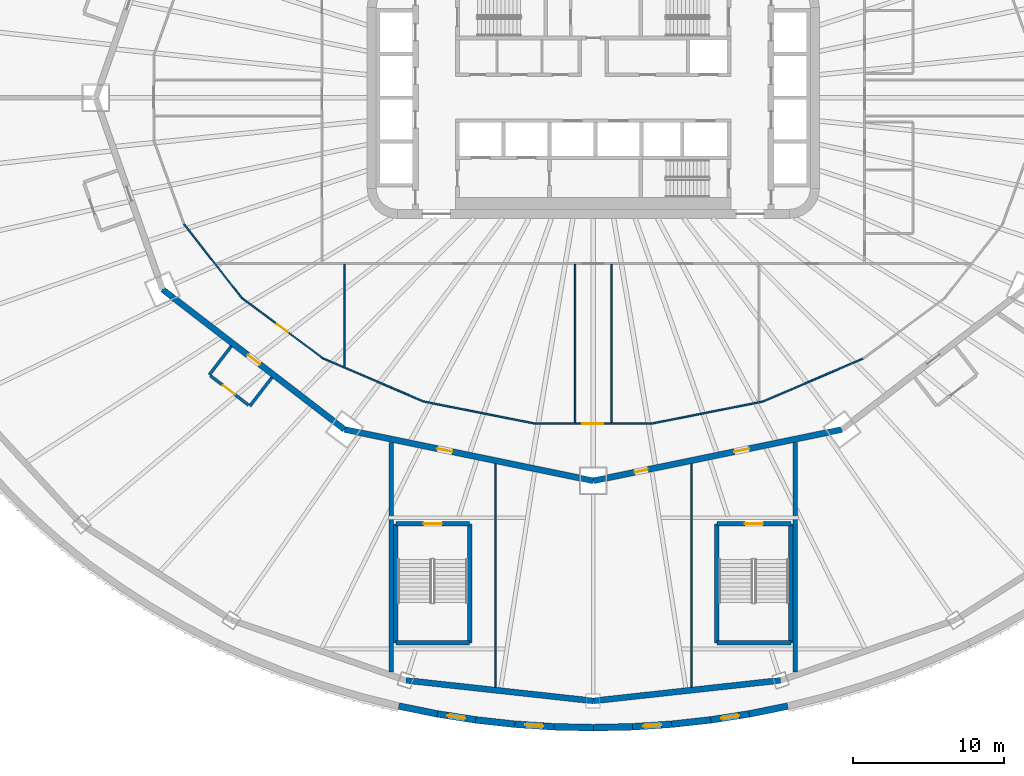
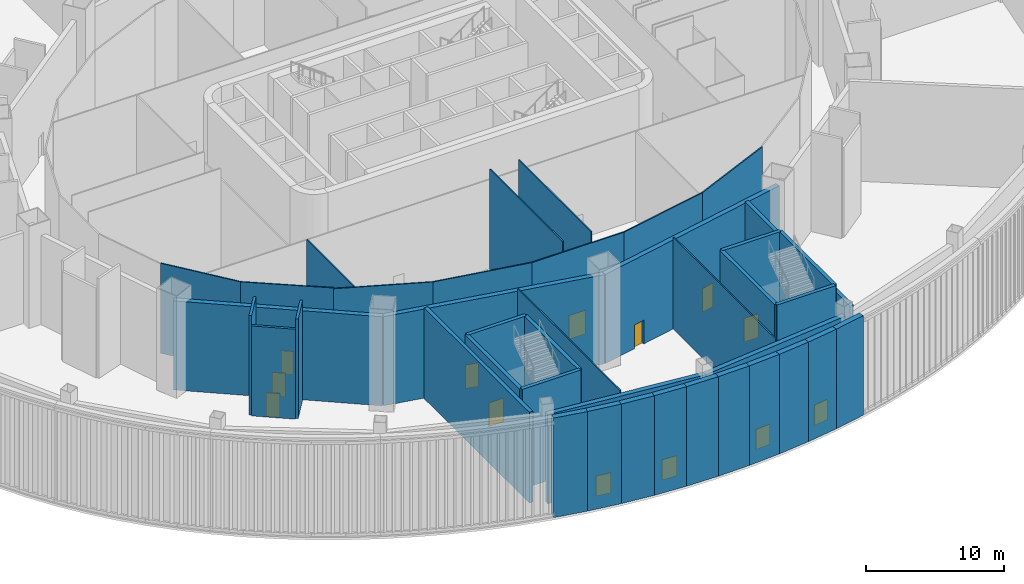
# One storey, part 6 of 35: 40 walls, 9 doors, 4 windows, 13 openings.
"""IFC4 building model written with IfcOpenShell, lengths in metres."""

from ifc_helpers import new_model, si_unit, direction, frame, frame_2d, origin, place, context, subcontext, project, spatial, rectangle, extrude, material, layer, layer_set, type_object, element, fill, save


model = new_model("IFC4")

# Units and contexts
model_context = context("Model", 3, precision=1e-05, world=origin(), true_north=direction((0.0, 1.0)))
body_context = subcontext(model_context, "Body", "Model", "MODEL_VIEW")
ifc_project = project(units=[si_unit("LENGTHUNIT", "METRE"), si_unit("AREAUNIT", "SQUARE_METRE"), si_unit("VOLUMEUNIT", "CUBIC_METRE"), si_unit("PLANEANGLEUNIT", "RADIAN"), si_unit("MASSUNIT", "GRAM", prefix="KILO")], contexts=[model_context])

# Site, building, storey
site_placement = place(None, origin())
site = spatial("IfcSite", under=ifc_project, at=site_placement, CompositionType="ELEMENT")
building_placement = place(site_placement, origin())
building = spatial("IfcBuilding", under=site, at=building_placement, Name="Sahrelin Media Tower", CompositionType="ELEMENT")
storey_placement = place(building_placement, frame((0.0, 0.0, 17.0)))
storey = spatial("IfcBuildingStorey", under=building, at=storey_placement, Name="L02", CompositionType="ELEMENT", Elevation=17.0)

# Walls
ifc_material_1 = material(Name="Fire-rated gypsum board partition")
ifc_layer_1 = layer(ifc_material_1, 0.199951171875)
ifc_layer_set_1 = layer_set([ifc_layer_1], Name="Fire-rated partition 200")
wall_type_1 = type_object("IfcWallType", Name="Fire-rated partition 200", PredefinedType="PARTITIONING", material=ifc_layer_set_1)
for number, where, z_axis, x_axis, name in (
    (1, (-24.008544921875, -16.47021484375, 0.0), (0.0, 0.0, 1.0), (-0.609946706972, -0.792442436177, 0.0), "Wall"),
    (2, (-21.314208984375, -18.5439453125, 0.0), (0.0, 0.0, 1.0), (-0.609946706972, -0.792442436177, 0.0), "Wall"),
):
    element("IfcWall", number, at=place(storey_placement, frame(where, z_axis=z_axis, x_axis=x_axis)), inside=storey, type_object=wall_type_1, Name=name, PredefinedType="PARTITIONING", context=body_context, shape_type="SweptSolid", body=[
        extrude(rectangle(XDim=2.39990234375, YDim=0.199951171875, at=frame_2d((1.199951171875, 0.0))), origin(), (0.0, 0.0, 1.0), 8.800048828125),
    ])

# Wall, opening, door
wall_1_placement = place(storey_placement, frame((-25.393310546875, -18.43310546875, 0.0), z_axis=(0.0, 0.0, 1.0), x_axis=(0.792476481098, -0.609902473274, 0.0)))
wall_1 = element("IfcWall", 3, at=wall_1_placement, inside=storey, type_object=wall_type_1, Name="Wall", PredefinedType="PARTITIONING", context=body_context, shape_type="SweptSolid", body=[
    extrude(rectangle(XDim=3.199951171875, YDim=0.199951171875, at=frame_2d((1.60009765625, 0.0))), origin(), (0.0, 0.0, 1.0), 7.9453125),
])
opening_1_placement = place(wall_1_placement, frame((1.050048828125, 0.0, 0.0)))
opening_1 = element("IfcOpeningElement", 4, at=opening_1_placement, cuts=wall_1, Name="Opening L02-D69", PredefinedType="OPENING", context=body_context, shape_type="SweptSolid", body=[
    extrude(rectangle(XDim=1.0, YDim=2.10009765625, at=frame_2d((0.5, 1.050048828125))), frame((0.0, 0.10009765625, 0.0), z_axis=(0.0, -1.0, 0.0), x_axis=(1.0, 0.0, 0.0)), (0.0, 0.0, 1.0), 0.199951171875),
])
ifc_material_2 = material(Name="Steel fire door leaf", Category="steel")
door_type_1 = type_object("IfcDoorType", Name="Fire door 1000 x 2100 EI 60", OperationType="NOTDEFINED", PredefinedType="DOOR", material=ifc_material_2)
door_1_placement = place(opening_1_placement, origin())
door_1 = element("IfcDoor", 5, at=door_1_placement, inside=storey, type_object=door_type_1, Name="Fire door", OperationType="SINGLE_SWING_LEFT", OverallHeight=2.10009765625, OverallWidth=1.0, PredefinedType="DOOR", context=body_context, shape_type="SweptSolid", body=[
    extrude(rectangle(XDim=1.0, YDim=2.10009765625, at=frame_2d((0.5, 1.050048828125))), frame((0.0, 0.02490234375, 0.0), z_axis=(0.0, -1.0, 0.0), x_axis=(1.0, 0.0, 0.0)), (0.0, 0.0, 1.0), 0.050048828125),
])
fill(opening_1, door_1)

# Walls
ifc_layer_2 = layer(ifc_material_1, 0.300048828125)
ifc_layer_set_2 = layer_set([ifc_layer_2], Name="Fire-rated partition 300")
wall_type_2 = type_object("IfcWallType", Name="Fire-rated partition 300", PredefinedType="PARTITIONING", material=ifc_layer_set_2)
for number, where, z_axis, x_axis, name in (
    (6, (13.39990234375, -22.87158203125, 0.0), (0.0, 0.0, 1.0), (0.0, -1.0, 0.0), "Wall"),
    (7, (-13.39990234375, -22.87158203125, 0.0), (0.0, 0.0, 1.0), (0.0, -1.0, 0.0), "Wall"),
):
    element("IfcWall", number, at=place(storey_placement, frame(where, z_axis=z_axis, x_axis=x_axis)), inside=storey, type_object=wall_type_2, Name=name, PredefinedType="PARTITIONING", context=body_context, shape_type="SweptSolid", body=[
        extrude(rectangle(XDim=15.216796875, YDim=0.300048828125, at=frame_2d((7.6083984375, 0.0))), origin(), (0.0, 0.0, 1.0), 8.02587890625),
    ])
ifc_layer_3 = layer(ifc_material_1, 0.39990234375)
ifc_layer_set_3 = layer_set([ifc_layer_3], Name="Fire-rated partition 400")
wall_type_3 = type_object("IfcWallType", Name="Fire-rated partition 400", PredefinedType="PARTITIONING", material=ifc_layer_set_3)
for number, where, z_axis, x_axis, name in (
    (8, (-12.42333984375, -38.636962890625, 0.0), (0.0, 0.0, 1.0), (0.994035016934, -0.109061382297, 0.0), "Wall"),
    (9, (0.0, -40.0, 0.0), (0.0, 0.0, 1.0), (0.994035016934, 0.109061382297, 0.0), "Wall"),
):
    element("IfcWall", number, at=place(storey_placement, frame(where, z_axis=z_axis, x_axis=x_axis)), inside=storey, type_object=wall_type_3, Name=name, PredefinedType="PARTITIONING", context=body_context, shape_type="SweptSolid", body=[
        extrude(rectangle(XDim=12.497802734375, YDim=0.39990234375, at=frame_2d((6.2490234375, 0.0))), origin(), (0.0, 0.0, 1.0), 7.876953125),
    ])

# Wall, opening, door
wall_2_placement = place(storey_placement, frame((-28.578857421875, -12.699951171875, 0.0), z_axis=(0.0, 0.0, 1.0), x_axis=(0.792443539308, -0.609945273782, 0.0)))
wall_2 = element("IfcWall", 10, at=wall_2_placement, inside=storey, type_object=wall_type_3, Name="Wall", PredefinedType="PARTITIONING", context=body_context, shape_type="SweptSolid", body=[
    extrude(rectangle(XDim=15.242431640625, YDim=0.39990234375, at=frame_2d((7.62109375, 0.0))), origin(), (0.0, 0.0, 1.0), 7.8681640625),
])
opening_2_placement = place(wall_2_placement, frame((7.14990234375, 0.0, 0.0)))
opening_2 = element("IfcOpeningElement", 11, at=opening_2_placement, cuts=wall_2, Name="Opening L02-D68", PredefinedType="OPENING", context=body_context, shape_type="SweptSolid", body=[
    extrude(rectangle(XDim=1.0, YDim=2.10009765625, at=frame_2d((0.5, 1.050048828125))), frame((0.0, 0.199951171875, 0.0), z_axis=(0.0, -1.0, 0.0), x_axis=(1.0, 0.0, 0.0)), (0.0, 0.0, 1.0), 0.39990234375),
])
door_2_placement = place(opening_2_placement, origin())
door_2 = element("IfcDoor", 12, at=door_2_placement, inside=storey, type_object=door_type_1, Name="Fire door", OperationType="SINGLE_SWING_RIGHT", OverallHeight=2.10009765625, OverallWidth=1.0, PredefinedType="DOOR", context=body_context, shape_type="SweptSolid", body=[
    extrude(rectangle(XDim=1.0, YDim=2.10009765625, at=frame_2d((0.5, 1.050048828125))), frame((0.0, 0.02490234375, 0.0), z_axis=(0.0, -1.0, 0.0), x_axis=(1.0, 0.0, 0.0)), (0.0, 0.0, 1.0), 0.050048828125),
])
fill(opening_2, door_2)

wall_3_placement = place(storey_placement, frame((-16.5, -21.9970703125, 0.0), z_axis=(0.0, 0.0, 1.0), x_axis=(0.979389305257, -0.201981654484, 0.0)))
wall_3 = element("IfcWall", 13, at=wall_3_placement, inside=storey, type_object=wall_type_3, Name="Wall", PredefinedType="PARTITIONING", context=body_context, shape_type="SweptSolid", body=[
    extrude(rectangle(XDim=16.84716796875, YDim=0.39990234375, at=frame_2d((8.423583984375, 0.0))), origin(), (0.0, 0.0, 1.0), 7.8681640625),
])
opening_3_placement = place(wall_3_placement, frame((6.300048828125, 0.0, 0.0)))
opening_3 = element("IfcOpeningElement", 14, at=opening_3_placement, cuts=wall_3, Name="Opening L02-D24", PredefinedType="OPENING", context=body_context, shape_type="SweptSolid", body=[
    extrude(rectangle(XDim=1.0, YDim=2.10009765625, at=frame_2d((0.5, 1.050048828125))), frame((0.0, 0.199951171875, 0.0), z_axis=(0.0, -1.0, 0.0), x_axis=(1.0, 0.0, 0.0)), (0.0, 0.0, 1.0), 0.39990234375),
])
door_type_2 = type_object("IfcDoorType", Name="Lobby door 1000 x 2100 EI 60", OperationType="NOTDEFINED", PredefinedType="DOOR", material=ifc_material_2)
door_3_placement = place(opening_3_placement, origin())
door_3 = element("IfcDoor", 15, at=door_3_placement, inside=storey, type_object=door_type_2, Name="Lobby door", OperationType="SINGLE_SWING_LEFT", OverallHeight=2.10009765625, OverallWidth=1.0, PredefinedType="DOOR", context=body_context, shape_type="SweptSolid", body=[
    extrude(rectangle(XDim=1.0, YDim=2.10009765625, at=frame_2d((0.5, 1.050048828125))), frame((0.0, 0.02490234375, 0.0), z_axis=(0.0, -1.0, 0.0), x_axis=(1.0, 0.0, 0.0)), (0.0, 0.0, 1.0), 0.050048828125),
])
fill(opening_3, door_3)

# Wall, openings, doors
wall_4_placement = place(storey_placement, frame((0.0, -25.39990234375, 0.0), z_axis=(0.0, 0.0, 1.0), x_axis=(0.979389305257, 0.201981654484, 0.0)))
wall_4 = element("IfcWall", 16, at=wall_4_placement, inside=storey, type_object=wall_type_3, Name="Wall", PredefinedType="PARTITIONING", context=body_context, shape_type="SweptSolid", body=[
    extrude(rectangle(XDim=16.84716796875, YDim=0.39990234375, at=frame_2d((8.423583984375, 0.0))), origin(), (0.0, 0.0, 1.0), 7.8681640625),
])
opening_4_placement = place(wall_4_placement, frame((9.550048828125, 0.0, 0.0)))
opening_4 = element("IfcOpeningElement", 17, at=opening_4_placement, cuts=wall_4, Name="Opening L02-D25", PredefinedType="OPENING", context=body_context, shape_type="SweptSolid", body=[
    extrude(rectangle(XDim=1.0, YDim=2.10009765625, at=frame_2d((0.5, 1.050048828125))), frame((0.0, 0.199951171875, 0.0), z_axis=(0.0, -1.0, 0.0), x_axis=(1.0, 0.0, 0.0)), (0.0, 0.0, 1.0), 0.39990234375),
])
opening_5_placement = place(wall_4_placement, frame((2.800048828125, 0.0, 0.0)))
opening_5 = element("IfcOpeningElement", 18, at=opening_5_placement, cuts=wall_4, Name="Opening L02-D32", PredefinedType="OPENING", context=body_context, shape_type="SweptSolid", body=[
    extrude(rectangle(XDim=0.89990234375, YDim=2.10009765625, at=frame_2d((0.449951171875, 1.050048828125))), frame((0.0, 0.199951171875, 0.0), z_axis=(0.0, -1.0, 0.0), x_axis=(1.0, 0.0, 0.0)), (0.0, 0.0, 1.0), 0.39990234375),
])
door_4_placement = place(opening_4_placement, origin())
door_4 = element("IfcDoor", 19, at=door_4_placement, inside=storey, type_object=door_type_2, Name="Lobby door", OperationType="SINGLE_SWING_RIGHT", OverallHeight=2.10009765625, OverallWidth=1.0, PredefinedType="DOOR", context=body_context, shape_type="SweptSolid", body=[
    extrude(rectangle(XDim=1.0, YDim=2.10009765625, at=frame_2d((0.5, 1.050048828125))), frame((0.0, 0.02490234375, 0.0), z_axis=(0.0, -1.0, 0.0), x_axis=(1.0, 0.0, 0.0)), (0.0, 0.0, 1.0), 0.050048828125),
])
fill(opening_4, door_4)
ifc_material_3 = material(Name="Timber door leaf", Category="wood")
door_type_3 = type_object("IfcDoorType", Name="Single door 900 x 2100", OperationType="NOTDEFINED", PredefinedType="DOOR", material=ifc_material_3)
door_5_placement = place(opening_5_placement, origin())
door_5 = element("IfcDoor", 20, at=door_5_placement, inside=storey, type_object=door_type_3, Name="Single door", OperationType="SINGLE_SWING_LEFT", OverallHeight=2.10009765625, OverallWidth=0.89990234375, PredefinedType="DOOR", context=body_context, shape_type="SweptSolid", body=[
    extrude(rectangle(XDim=0.89990234375, YDim=2.10009765625, at=frame_2d((0.449951171875, 1.050048828125))), frame((0.0, 0.02490234375, 0.0), z_axis=(0.0, -1.0, 0.0), x_axis=(1.0, 0.0, 0.0)), (0.0, 0.0, 1.0), 0.050048828125),
])
fill(opening_5, door_5)

# Wall
ifc_material_4 = material(Name="Gypsum board partition")
ifc_layer_4 = layer(ifc_material_4, 0.10009765625)
ifc_layer_set_4 = layer_set([ifc_layer_4], Name="Partition 100")
wall_type_4 = type_object("IfcWallType", Name="Partition 100", PredefinedType="PARTITIONING", material=ifc_layer_set_4)
wall_5_placement = place(storey_placement, frame((-27.162109375, -8.342529296875, 0.0), z_axis=(0.0, 0.0, 1.0), x_axis=(0.614354540541, -0.78903009988, 0.0)))
element("IfcWall", 21, at=wall_5_placement, inside=storey, type_object=wall_type_4, Name="Wall", PredefinedType="PARTITIONING", context=body_context, shape_type="SweptSolid", body=[
    extrude(rectangle(XDim=6.246337890625, YDim=0.10009765625, at=frame_2d((3.123046875, 0.0))), origin(), (0.0, 0.0, 1.0), 7.9453125),
])

# Wall, opening, door
wall_6_placement = place(storey_placement, frame((-23.32470703125, -13.27099609375, 0.0), z_axis=(0.0, 0.0, 1.0), x_axis=(0.803261991148, -0.595625867115, 0.0)))
wall_6 = element("IfcWall", 22, at=wall_6_placement, inside=storey, type_object=wall_type_4, Name="Wall", PredefinedType="PARTITIONING", context=body_context, shape_type="SweptSolid", body=[
    extrude(rectangle(XDim=6.756103515625, YDim=0.10009765625, at=frame_2d((3.3779296875, 0.0))), origin(), (0.0, 0.0, 1.0), 7.9453125),
])
opening_6_placement = place(wall_6_placement, frame((2.927978515625, 0.0, 0.0)))
opening_6 = element("IfcOpeningElement", 23, at=opening_6_placement, cuts=wall_6, Name="Opening L02-D40", PredefinedType="OPENING", context=body_context, shape_type="SweptSolid", body=[
    extrude(rectangle(XDim=0.89990234375, YDim=2.10009765625, at=frame_2d((0.449951171875, 1.050048828125))), frame((0.0, 0.050048828125, 0.0), z_axis=(0.0, -1.0, 0.0), x_axis=(1.0, 0.0, 0.0)), (0.0, 0.0, 1.0), 0.10009765625),
])
door_6_placement = place(opening_6_placement, origin())
door_6 = element("IfcDoor", 24, at=door_6_placement, inside=storey, type_object=door_type_3, Name="Single door", OperationType="SINGLE_SWING_LEFT", OverallHeight=2.10009765625, OverallWidth=0.89990234375, PredefinedType="DOOR", context=body_context, shape_type="SweptSolid", body=[
    extrude(rectangle(XDim=0.89990234375, YDim=2.10009765625, at=frame_2d((0.449951171875, 1.050048828125))), frame((0.0, 0.02490234375, 0.0), z_axis=(0.0, -1.0, 0.0), x_axis=(1.0, 0.0, 0.0)), (0.0, 0.0, 1.0), 0.050048828125),
])
fill(opening_6, door_6)

# Walls
wall_7_placement = place(storey_placement, frame((-17.897705078125, -17.295166015625, 0.0), z_axis=(0.0, 0.0, 1.0), x_axis=(0.919302147288, -0.3935524895, 0.0)))
element("IfcWall", 25, at=wall_7_placement, inside=storey, type_object=wall_type_4, Name="Wall", PredefinedType="PARTITIONING", context=body_context, shape_type="SweptSolid", body=[
    extrude(rectangle(XDim=7.230224609375, YDim=0.10009765625, at=frame_2d((3.615234375, 0.0))), origin(), (0.0, 0.0, 1.0), 7.876953125),
])
wall_8_placement = place(storey_placement, frame((-11.2509765625, -20.140625, 0.0), z_axis=(0.0, 0.0, 1.0), x_axis=(0.980829586671, -0.194867447026, 0.0)))
element("IfcWall", 26, at=wall_8_placement, inside=storey, type_object=wall_type_4, Name="Wall", PredefinedType="PARTITIONING", context=body_context, shape_type="SweptSolid", body=[
    extrude(rectangle(XDim=7.55859375, YDim=0.10009765625, at=frame_2d((3.779296875, 0.0))), origin(), (0.0, 0.0, 1.0), 7.876953125),
])

# Wall, opening, door
wall_9_placement = place(storey_placement, frame((-3.83740234375, -21.613525390625, 0.0), z_axis=(0.0, 0.0, 1.0), x_axis=(1.0, 0.0, 0.0)))
wall_9 = element("IfcWall", 27, at=wall_9_placement, inside=storey, type_object=wall_type_4, Name="Wall", PredefinedType="PARTITIONING", context=body_context, shape_type="SweptSolid", body=[
    extrude(rectangle(XDim=7.6748046875, YDim=0.10009765625, at=frame_2d((3.83740234375, 0.0))), origin(), (0.0, 0.0, 1.0), 7.876953125),
])
opening_7_placement = place(wall_9_placement, frame((3.10009765625, 0.0, 0.0)))
opening_7 = element("IfcOpeningElement", 28, at=opening_7_placement, cuts=wall_9, Name="Opening L02-D43", PredefinedType="OPENING", context=body_context, shape_type="SweptSolid", body=[
    extrude(rectangle(XDim=1.39990234375, YDim=2.10009765625, at=frame_2d((0.699951171875, 1.050048828125))), frame((0.0, 0.050048828125, 0.0), z_axis=(0.0, -1.0, 0.0), x_axis=(1.0, 0.0, 0.0)), (0.0, 0.0, 1.0), 0.10009765625),
])
door_type_4 = type_object("IfcDoorType", Name="Single door 1400 x 2100", OperationType="NOTDEFINED", PredefinedType="DOOR", material=ifc_material_3)
door_7_placement = place(opening_7_placement, origin())
door_7 = element("IfcDoor", 29, at=door_7_placement, inside=storey, type_object=door_type_4, Name="Single door", OperationType="SINGLE_SWING_LEFT", OverallHeight=2.10009765625, OverallWidth=1.39990234375, PredefinedType="DOOR", context=body_context, shape_type="SweptSolid", body=[
    extrude(rectangle(XDim=1.39990234375, YDim=2.10009765625, at=frame_2d((0.699951171875, 1.050048828125))), frame((0.0, 0.02490234375, 0.0), z_axis=(0.0, -1.0, 0.0), x_axis=(1.0, 0.0, 0.0)), (0.0, 0.0, 1.0), 0.050048828125),
])
fill(opening_7, door_7)

# Walls
wall_10_placement = place(storey_placement, frame((3.83740234375, -21.613525390625, 0.0), z_axis=(0.0, 0.0, 1.0), x_axis=(0.980829586671, 0.194867447026, 0.0)))
element("IfcWall", 30, at=wall_10_placement, inside=storey, type_object=wall_type_4, Name="Wall", PredefinedType="PARTITIONING", context=body_context, shape_type="SweptSolid", body=[
    extrude(rectangle(XDim=7.55859375, YDim=0.10009765625, at=frame_2d((3.779296875, 0.0))), origin(), (0.0, 0.0, 1.0), 7.876953125),
])
wall_11_placement = place(storey_placement, frame((11.2509765625, -20.140625, 0.0), z_axis=(0.0, 0.0, 1.0), x_axis=(0.919302147288, 0.3935524895, 0.0)))
element("IfcWall", 31, at=wall_11_placement, inside=storey, type_object=wall_type_4, Name="Wall", PredefinedType="PARTITIONING", context=body_context, shape_type="SweptSolid", body=[
    extrude(rectangle(XDim=7.230224609375, YDim=0.10009765625, at=frame_2d((3.615234375, 0.0))), origin(), (0.0, 0.0, 1.0), 7.876953125),
])
wall_12_placement = place(storey_placement, frame((-16.5, -11.050048828125, 0.0), z_axis=(0.0, 0.0, 1.0), x_axis=(0.0, -1.0, 0.0)))
element("IfcWall", 32, at=wall_12_placement, inside=storey, type_object=wall_type_4, Name="Wall", PredefinedType="PARTITIONING", context=body_context, shape_type="SweptSolid", body=[
    extrude(rectangle(XDim=6.767578125, YDim=0.10009765625, at=frame_2d((3.3837890625, 0.0))), origin(), (0.0, 0.0, 1.0), 7.9453125),
])
for number, where, z_axis, x_axis, name in (
    (33, (-1.199951171875, -11.050048828125, 0.0), (0.0, 0.0, 1.0), (0.0, -1.0, 0.0), "Wall"),
    (34, (1.199951171875, -11.050048828125, 0.0), (0.0, 0.0, 1.0), (0.0, -1.0, 0.0), "Wall"),
):
    element("IfcWall", number, at=place(storey_placement, frame(where, z_axis=z_axis, x_axis=x_axis)), inside=storey, type_object=wall_type_4, Name=name, PredefinedType="PARTITIONING", context=body_context, shape_type="SweptSolid", body=[
        extrude(rectangle(XDim=10.513427734375, YDim=0.10009765625, at=frame_2d((5.2568359375, 0.0))), origin(), (0.0, 0.0, 1.0), 8.800048828125),
    ])
for number, where, z_axis, x_axis, name in (
    (35, (6.5, -24.27392578125, 0.0), (0.0, 0.0, 1.0), (0.0, -1.0, 0.0), "Wall"),
    (36, (-6.5, -24.27392578125, 0.0), (0.0, 0.0, 1.0), (0.0, -1.0, 0.0), "Wall"),
):
    element("IfcWall", number, at=place(storey_placement, frame(where, z_axis=z_axis, x_axis=x_axis)), inside=storey, type_object=wall_type_4, Name=name, PredefinedType="PARTITIONING", context=body_context, shape_type="SweptSolid", body=[
        extrude(rectangle(XDim=14.811767578125, YDim=0.10009765625, at=frame_2d((7.40576171875, 0.0))), origin(), (0.0, 0.0, 1.0), 8.10205078125),
    ])
ifc_material_5 = material(Name="Concrete C60/75", Category="concrete")
ifc_layer_5 = layer(ifc_material_5, 0.300048828125)
ifc_layer_set_5 = layer_set([ifc_layer_5], Name="Stair enclosure wall 300")
wall_type_5 = type_object("IfcWallType", Name="Stair enclosure wall 300", PredefinedType="SOLIDWALL", material=ifc_layer_set_5)
wall_13_placement = place(storey_placement, frame((-8.199951171875, -36.14990234375, 0.0), z_axis=(0.0, 0.0, 1.0), x_axis=(-1.0, 0.0, 0.0)))
element("IfcWall", 37, at=wall_13_placement, inside=storey, type_object=wall_type_5, Name="Stair PS3", PredefinedType="SOLIDWALL", context=body_context, shape_type="SweptSolid", body=[
    extrude(rectangle(XDim=4.900146484375, YDim=0.300048828125, at=frame_2d((2.4501953125, 0.0))), origin(), (0.0, 0.0, 1.0), 8.800048828125),
])
wall_14_placement = place(storey_placement, frame((-13.10009765625, -36.14990234375, 0.0), z_axis=(0.0, 0.0, 1.0), x_axis=(0.0, 1.0, 0.0)))
element("IfcWall", 38, at=wall_14_placement, inside=storey, type_object=wall_type_5, Name="Stair PS3", PredefinedType="SOLIDWALL", context=body_context, shape_type="SweptSolid", body=[
    extrude(rectangle(XDim=7.89990234375, YDim=0.300048828125, at=frame_2d((3.949951171875, 0.0))), origin(), (0.0, 0.0, 1.0), 8.800048828125),
])

# Wall, opening, door
wall_15_placement = place(storey_placement, frame((-13.10009765625, -28.25, 0.0), z_axis=(0.0, 0.0, 1.0), x_axis=(1.0, 0.0, 0.0)))
wall_15 = element("IfcWall", 39, at=wall_15_placement, inside=storey, type_object=wall_type_5, Name="Stair PS3", PredefinedType="SOLIDWALL", context=body_context, shape_type="SweptSolid", body=[
    extrude(rectangle(XDim=4.900146484375, YDim=0.300048828125, at=frame_2d((2.4501953125, 0.0))), origin(), (0.0, 0.0, 1.0), 8.800048828125),
])
opening_8_placement = place(wall_15_placement, frame((1.85009765625, 0.0, 0.0)))
opening_8 = element("IfcOpeningElement", 40, at=opening_8_placement, cuts=wall_15, Name="Opening L02-D30", PredefinedType="OPENING", context=body_context, shape_type="SweptSolid", body=[
    extrude(rectangle(XDim=1.199951171875, YDim=2.10009765625, at=frame_2d((0.60009765625, 1.050048828125))), frame((0.0, 0.14990234375, 0.0), z_axis=(0.0, -1.0, 0.0), x_axis=(1.0, 0.0, 0.0)), (0.0, 0.0, 1.0), 0.300048828125),
])
door_type_5 = type_object("IfcDoorType", Name="Stair door 1200 x 2100 EI 120", OperationType="NOTDEFINED", PredefinedType="DOOR", material=ifc_material_2)
door_8_placement = place(opening_8_placement, origin())
door_8 = element("IfcDoor", 41, at=door_8_placement, inside=storey, type_object=door_type_5, Name="Stair door", OperationType="SINGLE_SWING_RIGHT", OverallHeight=2.10009765625, OverallWidth=1.199951171875, PredefinedType="DOOR", context=body_context, shape_type="SweptSolid", body=[
    extrude(rectangle(XDim=1.199951171875, YDim=2.10009765625, at=frame_2d((0.60009765625, 1.050048828125))), frame((0.0, 0.02490234375, 0.0), z_axis=(0.0, -1.0, 0.0), x_axis=(1.0, 0.0, 0.0)), (0.0, 0.0, 1.0), 0.050048828125),
])
fill(opening_8, door_8)

# Walls
wall_16_placement = place(storey_placement, frame((-8.199951171875, -28.25, 0.0), z_axis=(0.0, 0.0, 1.0), x_axis=(0.0, -1.0, 0.0)))
element("IfcWall", 42, at=wall_16_placement, inside=storey, type_object=wall_type_5, Name="Stair PS3", PredefinedType="SOLIDWALL", context=body_context, shape_type="SweptSolid", body=[
    extrude(rectangle(XDim=7.89990234375, YDim=0.300048828125, at=frame_2d((3.949951171875, 0.0))), origin(), (0.0, 0.0, 1.0), 8.800048828125),
])
wall_17_placement = place(storey_placement, frame((13.10009765625, -36.14990234375, 0.0), z_axis=(0.0, 0.0, 1.0), x_axis=(-1.0, 0.0, 0.0)))
element("IfcWall", 43, at=wall_17_placement, inside=storey, type_object=wall_type_5, Name="Stair PS4", PredefinedType="SOLIDWALL", context=body_context, shape_type="SweptSolid", body=[
    extrude(rectangle(XDim=4.900146484375, YDim=0.300048828125, at=frame_2d((2.4501953125, 0.0))), origin(), (0.0, 0.0, 1.0), 8.800048828125),
])
wall_18_placement = place(storey_placement, frame((8.199951171875, -36.14990234375, 0.0), z_axis=(0.0, 0.0, 1.0), x_axis=(0.0, 1.0, 0.0)))
element("IfcWall", 44, at=wall_18_placement, inside=storey, type_object=wall_type_5, Name="Stair PS4", PredefinedType="SOLIDWALL", context=body_context, shape_type="SweptSolid", body=[
    extrude(rectangle(XDim=7.89990234375, YDim=0.300048828125, at=frame_2d((3.949951171875, 0.0))), origin(), (0.0, 0.0, 1.0), 8.800048828125),
])

# Wall, opening, door
wall_19_placement = place(storey_placement, frame((8.199951171875, -28.25, 0.0), z_axis=(0.0, 0.0, 1.0), x_axis=(1.0, 0.0, 0.0)))
wall_19 = element("IfcWall", 45, at=wall_19_placement, inside=storey, type_object=wall_type_5, Name="Stair PS4", PredefinedType="SOLIDWALL", context=body_context, shape_type="SweptSolid", body=[
    extrude(rectangle(XDim=4.900146484375, YDim=0.300048828125, at=frame_2d((2.4501953125, 0.0))), origin(), (0.0, 0.0, 1.0), 8.800048828125),
])
opening_9_placement = place(wall_19_placement, frame((1.85009765625, 0.0, 0.0)))
opening_9 = element("IfcOpeningElement", 46, at=opening_9_placement, cuts=wall_19, Name="Opening L02-D31", PredefinedType="OPENING", context=body_context, shape_type="SweptSolid", body=[
    extrude(rectangle(XDim=1.199951171875, YDim=2.10009765625, at=frame_2d((0.60009765625, 1.050048828125))), frame((0.0, 0.14990234375, 0.0), z_axis=(0.0, -1.0, 0.0), x_axis=(1.0, 0.0, 0.0)), (0.0, 0.0, 1.0), 0.300048828125),
])
door_9_placement = place(opening_9_placement, origin())
door_9 = element("IfcDoor", 47, at=door_9_placement, inside=storey, type_object=door_type_5, Name="Stair door", OperationType="SINGLE_SWING_RIGHT", OverallHeight=2.10009765625, OverallWidth=1.199951171875, PredefinedType="DOOR", context=body_context, shape_type="SweptSolid", body=[
    extrude(rectangle(XDim=1.199951171875, YDim=2.10009765625, at=frame_2d((0.60009765625, 1.050048828125))), frame((0.0, 0.02490234375, 0.0), z_axis=(0.0, -1.0, 0.0), x_axis=(1.0, 0.0, 0.0)), (0.0, 0.0, 1.0), 0.050048828125),
])
fill(opening_9, door_9)

# Walls
wall_20_placement = place(storey_placement, frame((13.10009765625, -28.25, 0.0), z_axis=(0.0, 0.0, 1.0), x_axis=(0.0, -1.0, 0.0)))
element("IfcWall", 48, at=wall_20_placement, inside=storey, type_object=wall_type_5, Name="Stair PS4", PredefinedType="SOLIDWALL", context=body_context, shape_type="SweptSolid", body=[
    extrude(rectangle(XDim=7.89990234375, YDim=0.300048828125, at=frame_2d((3.949951171875, 0.0))), origin(), (0.0, 0.0, 1.0), 8.800048828125),
])
ifc_material_6 = material(Name="Concrete C40/50", Category="concrete")
ifc_layer_6 = layer(ifc_material_6, 0.449951171875)
ifc_layer_set_6 = layer_set([ifc_layer_6], Name="Studio facade wall")
wall_type_6 = type_object("IfcWallType", Name="Studio facade wall", PredefinedType="SOLIDWALL", material=ifc_layer_set_6)
wall_21_placement = place(storey_placement, frame((-12.896484375, -40.348388671875, 0.0), z_axis=(0.0, 0.0, 1.0), x_axis=(0.980275735323, -0.197634720473, 0.0)))
element("IfcWall", 49, at=wall_21_placement, inside=storey, type_object=wall_type_6, Name="Production office facade wall L02-P17-1", PredefinedType="SOLIDWALL", context=body_context, shape_type="SweptSolid", body=[
    extrude(rectangle(XDim=2.5966796875, YDim=0.449951171875, at=frame_2d((1.29833984375, 0.0))), origin(), (0.0, 0.0, 1.0), 8.800048828125),
])

# Wall, opening, window
wall_22_placement = place(storey_placement, frame((-10.361083984375, -40.85986328125, 0.0), z_axis=(0.0, 0.0, 1.0), x_axis=(0.98810254681, -0.153796479115, 0.0)))
wall_22 = element("IfcWall", 50, at=wall_22_placement, inside=storey, type_object=wall_type_6, Name="Production office facade wall L02-P17-2", PredefinedType="SOLIDWALL", context=body_context, shape_type="SweptSolid", body=[
    extrude(rectangle(XDim=2.60498046875, YDim=0.449951171875, at=frame_2d((1.302490234375, 0.0))), origin(), (0.0, 0.0, 1.0), 8.800048828125),
])
opening_10_placement = place(wall_22_placement, frame((0.702392578125, 0.0, 1.0)))
opening_10 = element("IfcOpeningElement", 51, at=opening_10_placement, cuts=wall_22, Name="Opening WS1", PredefinedType="OPENING", context=body_context, shape_type="SweptSolid", body=[
    extrude(rectangle(XDim=1.199951171875, YDim=1.800048828125, at=frame_2d((0.60009765625, 0.89990234375))), frame((0.0, 0.22509765625, 0.0), z_axis=(0.0, -1.0, 0.0), x_axis=(1.0, 0.0, 0.0)), (0.0, 0.0, 1.0), 0.449951171875),
])
ifc_material_7 = material(Name="Clear low-iron glazing", Category="glass")
window_type = type_object("IfcWindowType", Name="Production office window 1200x1800", PartitioningType="SINGLE_PANEL", PredefinedType="WINDOW", material=ifc_material_7)
window_1_placement = place(opening_10_placement, origin())
window_1 = element("IfcWindow", 52, at=window_1_placement, inside=storey, type_object=window_type, Name="L02:WIN2:L02-P17", OverallHeight=1.800048828125, OverallWidth=1.199951171875, PartitioningType="SINGLE_PANEL", PredefinedType="WINDOW", context=body_context, shape_type="SweptSolid", body=[
    extrude(rectangle(XDim=1.199951171875, YDim=1.800048828125, at=frame_2d((0.60009765625, 0.89990234375))), frame((0.0, 0.030029296875, 0.0), z_axis=(0.0, -1.0, 0.0), x_axis=(1.0, 0.0, 0.0)), (0.0, 0.0, 1.0), 0.06005859375),
])
fill(opening_10, window_1)

# Wall
wall_23_placement = place(storey_placement, frame((-7.797119140625, -41.25927734375, 0.0), z_axis=(0.0, 0.0, 1.0), x_axis=(0.993937205813, -0.109949219644, 0.0)))
element("IfcWall", 53, at=wall_23_placement, inside=storey, type_object=wall_type_6, Name="Production office facade wall L02-P17-3", PredefinedType="SOLIDWALL", context=body_context, shape_type="SweptSolid", body=[
    extrude(rectangle(XDim=2.611328125, YDim=0.449951171875, at=frame_2d((1.3056640625, 0.0))), origin(), (0.0, 0.0, 1.0), 8.800048828125),
])

# Wall, opening, window
wall_24_placement = place(storey_placement, frame((-5.211669921875, -41.54541015625, 0.0), z_axis=(0.0, 0.0, 1.0), x_axis=(0.997819718638, -0.065998553754, 0.0)))
wall_24 = element("IfcWall", 54, at=wall_24_placement, inside=storey, type_object=wall_type_6, Name="Production office facade wall L02-P17-4", PredefinedType="SOLIDWALL", context=body_context, shape_type="SweptSolid", body=[
    extrude(rectangle(XDim=2.615234375, YDim=0.449951171875, at=frame_2d((1.3076171875, 0.0))), origin(), (0.0, 0.0, 1.0), 8.800048828125),
])
opening_11_placement = place(wall_24_placement, frame((0.70751953125, 0.0, 1.0)))
opening_11 = element("IfcOpeningElement", 55, at=opening_11_placement, cuts=wall_24, Name="Opening WS1", PredefinedType="OPENING", context=body_context, shape_type="SweptSolid", body=[
    extrude(rectangle(XDim=1.199951171875, YDim=1.800048828125, at=frame_2d((0.60009765625, 0.89990234375))), frame((0.0, 0.22509765625, 0.0), z_axis=(0.0, -1.0, 0.0), x_axis=(1.0, 0.0, 0.0)), (0.0, 0.0, 1.0), 0.449951171875),
])
window_2_placement = place(opening_11_placement, origin())
window_2 = element("IfcWindow", 56, at=window_2_placement, inside=storey, type_object=window_type, Name="L02:WIN4:L02-P17", OverallHeight=1.800048828125, OverallWidth=1.199951171875, PartitioningType="SINGLE_PANEL", PredefinedType="WINDOW", context=body_context, shape_type="SweptSolid", body=[
    extrude(rectangle(XDim=1.199951171875, YDim=1.800048828125, at=frame_2d((0.60009765625, 0.89990234375))), frame((0.0, 0.030029296875, 0.0), z_axis=(0.0, -1.0, 0.0), x_axis=(1.0, 0.0, 0.0)), (0.0, 0.0, 1.0), 0.06005859375),
])
fill(opening_11, window_2)

# Walls
for number, where, z_axis, x_axis, name in (
    (57, (-2.61181640625, -41.717529296875, 0.0), (0.0, 0.0, 1.0), (0.999757669199, -0.022013697512, 0.0), "Production office facade wall L02-P17-5"),
    (58, (-0.0048828125, -41.775146484375, 0.0), (0.0, 0.0, 1.0), (0.999757669199, 0.022013697512, 0.0), "Production office facade wall L02-P18-1"),
):
    element("IfcWall", number, at=place(storey_placement, frame(where, z_axis=z_axis, x_axis=x_axis)), inside=storey, type_object=wall_type_6, Name=name, PredefinedType="SOLIDWALL", context=body_context, shape_type="SweptSolid", body=[
        extrude(rectangle(XDim=2.617431640625, YDim=0.449951171875, at=frame_2d((1.30859375, 0.0))), origin(), (0.0, 0.0, 1.0), 8.800048828125),
    ])

# Wall, opening, window
wall_25_placement = place(storey_placement, frame((2.60205078125, -41.718017578125, 0.0), z_axis=(0.0, 0.0, 1.0), x_axis=(0.997819718638, 0.065998553754, 0.0)))
wall_25 = element("IfcWall", 59, at=wall_25_placement, inside=storey, type_object=wall_type_6, Name="Production office facade wall L02-P18-2", PredefinedType="SOLIDWALL", context=body_context, shape_type="SweptSolid", body=[
    extrude(rectangle(XDim=2.615234375, YDim=0.449951171875, at=frame_2d((1.3076171875, 0.0))), origin(), (0.0, 0.0, 1.0), 8.800048828125),
])
opening_12_placement = place(wall_25_placement, frame((0.70751953125, 0.0, 1.0)))
opening_12 = element("IfcOpeningElement", 60, at=opening_12_placement, cuts=wall_25, Name="Opening WS1", PredefinedType="OPENING", context=body_context, shape_type="SweptSolid", body=[
    extrude(rectangle(XDim=1.199951171875, YDim=1.800048828125, at=frame_2d((0.60009765625, 0.89990234375))), frame((0.0, 0.22509765625, 0.0), z_axis=(0.0, -1.0, 0.0), x_axis=(1.0, 0.0, 0.0)), (0.0, 0.0, 1.0), 0.449951171875),
])
window_3_placement = place(opening_12_placement, origin())
window_3 = element("IfcWindow", 61, at=window_3_placement, inside=storey, type_object=window_type, Name="L02:WIN2:L02-P18", OverallHeight=1.800048828125, OverallWidth=1.199951171875, PartitioningType="SINGLE_PANEL", PredefinedType="WINDOW", context=body_context, shape_type="SweptSolid", body=[
    extrude(rectangle(XDim=1.199951171875, YDim=1.800048828125, at=frame_2d((0.60009765625, 0.89990234375))), frame((0.0, 0.030029296875, 0.0), z_axis=(0.0, -1.0, 0.0), x_axis=(1.0, 0.0, 0.0)), (0.0, 0.0, 1.0), 0.06005859375),
])
fill(opening_12, window_3)

# Wall
wall_26_placement = place(storey_placement, frame((5.20166015625, -41.54638671875, 0.0), z_axis=(0.0, 0.0, 1.0), x_axis=(0.993937205813, 0.109949219644, 0.0)))
element("IfcWall", 62, at=wall_26_placement, inside=storey, type_object=wall_type_6, Name="Production office facade wall L02-P18-3", PredefinedType="SOLIDWALL", context=body_context, shape_type="SweptSolid", body=[
    extrude(rectangle(XDim=2.611328125, YDim=0.449951171875, at=frame_2d((1.3056640625, 0.0))), origin(), (0.0, 0.0, 1.0), 8.800048828125),
])

# Wall, opening, window
wall_27_placement = place(storey_placement, frame((7.787109375, -41.260498046875, 0.0), z_axis=(0.0, 0.0, 1.0), x_axis=(0.98810254681, 0.153796479115, 0.0)))
wall_27 = element("IfcWall", 63, at=wall_27_placement, inside=storey, type_object=wall_type_6, Name="Production office facade wall L02-P18-4", PredefinedType="SOLIDWALL", context=body_context, shape_type="SweptSolid", body=[
    extrude(rectangle(XDim=2.60498046875, YDim=0.449951171875, at=frame_2d((1.302490234375, 0.0))), origin(), (0.0, 0.0, 1.0), 8.800048828125),
])
opening_13_placement = place(wall_27_placement, frame((0.702392578125, 0.0, 1.0)))
opening_13 = element("IfcOpeningElement", 64, at=opening_13_placement, cuts=wall_27, Name="Opening WS1", PredefinedType="OPENING", context=body_context, shape_type="SweptSolid", body=[
    extrude(rectangle(XDim=1.199951171875, YDim=1.800048828125, at=frame_2d((0.60009765625, 0.89990234375))), frame((0.0, 0.22509765625, 0.0), z_axis=(0.0, -1.0, 0.0), x_axis=(1.0, 0.0, 0.0)), (0.0, 0.0, 1.0), 0.449951171875),
])
window_4_placement = place(opening_13_placement, origin())
window_4 = element("IfcWindow", 65, at=window_4_placement, inside=storey, type_object=window_type, Name="L02:WIN4:L02-P18", OverallHeight=1.800048828125, OverallWidth=1.199951171875, PartitioningType="SINGLE_PANEL", PredefinedType="WINDOW", context=body_context, shape_type="SweptSolid", body=[
    extrude(rectangle(XDim=1.199951171875, YDim=1.800048828125, at=frame_2d((0.60009765625, 0.89990234375))), frame((0.0, 0.030029296875, 0.0), z_axis=(0.0, -1.0, 0.0), x_axis=(1.0, 0.0, 0.0)), (0.0, 0.0, 1.0), 0.06005859375),
])
fill(opening_13, window_4)

# Wall
wall_28_placement = place(storey_placement, frame((10.35107421875, -40.861572265625, 0.0), z_axis=(0.0, 0.0, 1.0), x_axis=(0.980275735323, 0.197634720473, 0.0)))
element("IfcWall", 66, at=wall_28_placement, inside=storey, type_object=wall_type_6, Name="Production office facade wall L02-P18-5", PredefinedType="SOLIDWALL", context=body_context, shape_type="SweptSolid", body=[
    extrude(rectangle(XDim=2.5966796875, YDim=0.449951171875, at=frame_2d((1.29833984375, 0.0))), origin(), (0.0, 0.0, 1.0), 8.800048828125),
])

save(model, "model.ifc")
